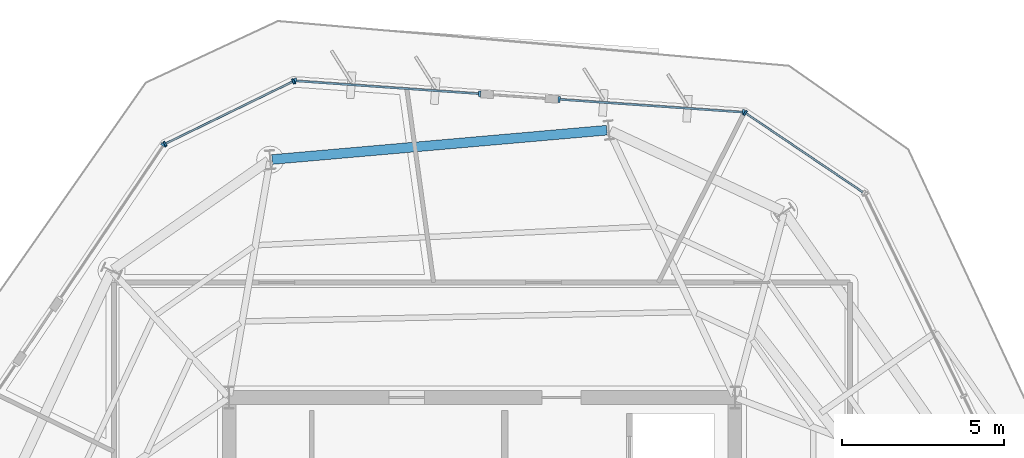
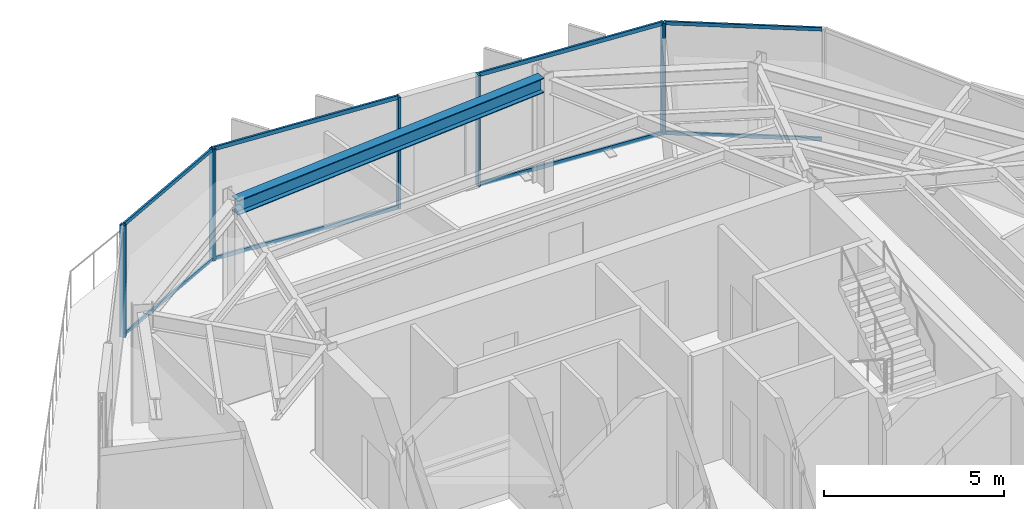
# One storey, part 6 of 12: 16 members, 1 beam, 5 elements without a shape of their own.
"""IFC4 building model written with IfcOpenShell, lengths in metres."""

from ifc_helpers import new_model, si_unit, direction, frame, origin, origin_2d, place, context, subcontext, project, spatial, rectangle, i_section, extrude, material, layer, layer_set, material_profile, profile_set, type_object, element, aggregate, save


model = new_model("IFC4")

# Units and contexts
model_context = context("Model", 3, precision=1e-05, world=origin(), true_north=direction((0.0, 1.0)))
body_context = subcontext(model_context, "Body", "Model", "MODEL_VIEW")
ifc_project = project(units=[si_unit("LENGTHUNIT", "METRE"), si_unit("AREAUNIT", "SQUARE_METRE"), si_unit("VOLUMEUNIT", "CUBIC_METRE"), si_unit("PLANEANGLEUNIT", "RADIAN"), si_unit("MASSUNIT", "GRAM", prefix="KILO")], contexts=[model_context])

# Site, building, storey
site_placement = place(None, origin())
site = spatial("IfcSite", under=ifc_project, at=site_placement, CompositionType="ELEMENT")
building_placement = place(site_placement, origin())
building = spatial("IfcBuilding", under=site, at=building_placement, Name="Kranzbogen Civic Tower", CompositionType="ELEMENT")
storey_placement = place(building_placement, frame((0.0, 0.0, 250.199951171875)))
storey = spatial("IfcBuildingStorey", under=building, at=storey_placement, Name="L60", CompositionType="ELEMENT", Elevation=250.199951171875)

# Curtain wall, members
ifc_material_1 = material(Name="Pale Anodised Aluminium", Category="aluminium")
ifc_layer_1 = layer(ifc_material_1, 0.219970703125, Name="Pale Anodised Aluminium")
ifc_layer_set_1 = layer_set([ifc_layer_1], Name="Pale Anodised Aluminium")
curtain_wall_type_1 = type_object("IfcCurtainWallType", Name="Chamfer Facet Stick Curtain Wall System CW-06", PredefinedType="USERDEFINED", material=ifc_layer_set_1)
curtain_wall_1_placement = place(storey_placement, origin())
curtain_wall_1 = element("IfcCurtainWall", 1, at=curtain_wall_1_placement, inside=storey, type_object=curtain_wall_type_1, Name="L60 curtain wall CW-L60-C1", ObjectType="STICK CURTAIN WALL", PredefinedType="USERDEFINED")
ifc_material_profile_1 = material_profile(ifc_material_1, rectangle(XDim=0.06005859375, YDim=0.159912109375, at=origin_2d()), Name="ALU-M 60x160")
ifc_profile_set_1 = profile_set([ifc_material_profile_1], Name="Pale Anodised Aluminium")
member_type_1 = type_object("IfcMemberType", Name="Curtain Wall Mullion ALU-M 60x160", PredefinedType="MULLION", material=ifc_profile_set_1)
member_1_placement = place(storey_placement, frame((19.18212890625, 41.953857421875, 0.0), z_axis=(0.0, 0.0, 1.0), x_axis=(-0.898729699392, -0.438503052931, 0.0)))
member_1 = element("IfcMember", 2, at=member_1_placement, type_object=member_type_1, Name="CW-06 mullion 1", PredefinedType="MULLION", context=body_context, shape_type="SweptSolid", body=[
    extrude(rectangle(XDim=0.06005859375, YDim=0.159912109375, at=origin_2d()), origin(), (0.0, 0.0, 1.0), 3.780029296875),
])
member_2_placement = place(storey_placement, frame((15.222900390625, 40.022216796875, 0.0), z_axis=(0.0, 0.0, 1.0), x_axis=(-0.898729699392, -0.438503052931, 0.0)))
member_2 = element("IfcMember", 3, at=member_2_placement, type_object=member_type_1, Name="CW-06 mullion 2", PredefinedType="MULLION", context=body_context, shape_type="SweptSolid", body=[
    extrude(rectangle(XDim=0.06005859375, YDim=0.159912109375, at=origin_2d()), origin(), (0.0, 0.0, 1.0), 3.780029296875),
])

# Curtain wall, member
curtain_wall_2_placement = place(storey_placement, origin())
curtain_wall_2 = element("IfcCurtainWall", 4, at=curtain_wall_2_placement, inside=storey, type_object=curtain_wall_type_1, Name="L60 curtain wall CW-L60-C6", ObjectType="STICK CURTAIN WALL", PredefinedType="USERDEFINED")
member_3_placement = place(storey_placement, frame((33.120849609375, 40.978271484375, 0.0), z_axis=(0.0, 0.0, 1.0), x_axis=(-0.829144558925, 0.559034256915, 0.0)))
member_3 = element("IfcMember", 5, at=member_3_placement, type_object=member_type_1, Name="CW-06 mullion 2", PredefinedType="MULLION", context=body_context, shape_type="SweptSolid", body=[
    extrude(rectangle(XDim=0.06005859375, YDim=0.159912109375, at=origin_2d()), origin(), (0.0, 0.0, 1.0), 3.780029296875),
])

# Curtain wall, members
ifc_layer_2 = layer(ifc_material_1, 0.219970703125, Name="Pale Anodised Aluminium")
ifc_layer_set_2 = layer_set([ifc_layer_2], Name="Pale Anodised Aluminium")
curtain_wall_type_2 = type_object("IfcCurtainWallType", Name="Zone 4 Stick Curtain Wall System CW-05", PredefinedType="USERDEFINED", material=ifc_layer_set_2)
curtain_wall_3_placement = place(storey_placement, origin())
curtain_wall_3 = element("IfcCurtainWall", 6, at=curtain_wall_3_placement, inside=storey, type_object=curtain_wall_type_2, Name="L60 curtain wall CW-L60-F1-S1", ObjectType="STICK CURTAIN WALL", PredefinedType="USERDEFINED")
ifc_material_profile_2 = material_profile(ifc_material_1, rectangle(XDim=0.06494140625, YDim=0.179931640625, at=origin_2d()), Name="ALU-M 65x180")
ifc_profile_set_2 = profile_set([ifc_material_profile_2], Name="Pale Anodised Aluminium")
member_type_2 = type_object("IfcMemberType", Name="Curtain Wall Mullion ALU-M 65x180", PredefinedType="MULLION", material=ifc_profile_set_2)
member_4_placement = place(storey_placement, frame((33.066162109375, 40.9970703125, 0.0), z_axis=(0.0, 0.0, 1.0), x_axis=(-0.997561626971, 0.069791119738, 0.0)))
member_4 = element("IfcMember", 7, at=member_4_placement, type_object=member_type_2, Name="CW-05 mullion 1", PredefinedType="MULLION", context=body_context, shape_type="SweptSolid", body=[
    extrude(rectangle(XDim=0.06494140625, YDim=0.179931640625, at=origin_2d()), origin(), (0.0, 0.0, 1.0), 3.780029296875),
])
member_5_placement = place(storey_placement, frame((27.3798828125, 41.39501953125, 0.0), z_axis=(0.0, 0.0, 1.0), x_axis=(-0.997561626971, 0.069791119738, 0.0)))
member_5 = element("IfcMember", 8, at=member_5_placement, type_object=member_type_2, Name="CW-05 mullion 2", PredefinedType="MULLION", context=body_context, shape_type="SweptSolid", body=[
    extrude(rectangle(XDim=0.06494140625, YDim=0.179931640625, at=origin_2d()), origin(), (0.0, 0.0, 1.0), 3.780029296875),
])

curtain_wall_4_placement = place(storey_placement, origin())
curtain_wall_4 = element("IfcCurtainWall", 9, at=curtain_wall_4_placement, inside=storey, type_object=curtain_wall_type_2, Name="L60 curtain wall CW-L60-F1-S2", ObjectType="STICK CURTAIN WALL", PredefinedType="USERDEFINED")
member_6_placement = place(storey_placement, frame((24.926025390625, 41.567138671875, 0.0), z_axis=(0.0, 0.0, 1.0), x_axis=(-0.99756247237, 0.06977903496, 0.0)))
member_6 = element("IfcMember", 10, at=member_6_placement, type_object=member_type_2, Name="CW-05 mullion 1", PredefinedType="MULLION", context=body_context, shape_type="SweptSolid", body=[
    extrude(rectangle(XDim=0.06494140625, YDim=0.179931640625, at=origin_2d()), origin(), (0.0, 0.0, 1.0), 3.780029296875),
])
member_7_placement = place(storey_placement, frame((19.239013671875, 41.96484375, 0.0), z_axis=(0.0, 0.0, 1.0), x_axis=(-0.99756247237, 0.06977903496, 0.0)))
member_7 = element("IfcMember", 11, at=member_7_placement, type_object=member_type_2, Name="CW-05 mullion 2", PredefinedType="MULLION", context=body_context, shape_type="SweptSolid", body=[
    extrude(rectangle(XDim=0.06494140625, YDim=0.179931640625, at=origin_2d()), origin(), (0.0, 0.0, 1.0), 3.780029296875),
])

# Curtain wall, member
curtain_wall_5_placement = place(storey_placement, origin())
curtain_wall_5 = element("IfcCurtainWall", 12, at=curtain_wall_5_placement, inside=storey, type_object=curtain_wall_type_2, Name="L60 curtain wall CW-L60-F2-S1", ObjectType="STICK CURTAIN WALL", PredefinedType="USERDEFINED")
member_8_placement = place(storey_placement, frame((15.17919921875, 39.984130859375, 0.0), z_axis=(0.0, 0.0, 1.0), x_axis=(-0.559219373817, -0.829019717466, 0.0)))
member_8 = element("IfcMember", 13, at=member_8_placement, type_object=member_type_2, Name="CW-05 mullion 1", PredefinedType="MULLION", context=body_context, shape_type="SweptSolid", body=[
    extrude(rectangle(XDim=0.06494140625, YDim=0.179931640625, at=origin_2d()), origin(), (0.0, 0.0, 1.0), 3.780029296875),
])
aggregate(curtain_wall_5, [member_8])

# Member
ifc_material_profile_3 = material_profile(ifc_material_1, rectangle(XDim=0.06005859375, YDim=0.1201171875, at=origin_2d()), Name="ALU-T 60x120")
ifc_profile_set_3 = profile_set([ifc_material_profile_3], Name="Pale Anodised Aluminium")
member_type_3 = type_object("IfcMemberType", Name="Curtain Wall Transom ALU-T 60x120", PredefinedType="USERDEFINED", material=ifc_profile_set_3)
member_9_placement = place(storey_placement, frame((19.155029296875, 41.940673828125, 0.030029296875), z_axis=(-0.898733881974, -0.438494480458, 0.0), x_axis=(0.438494480458, -0.898733881974, 0.0)))
member_9 = element("IfcMember", 14, at=member_9_placement, type_object=member_type_3, Name="CW-06 transom 1.1", ObjectType="TRANSOM", PredefinedType="USERDEFINED", context=body_context, shape_type="SweptSolid", body=[
    extrude(rectangle(XDim=0.06005859375, YDim=0.1201171875, at=origin_2d()), origin(), (0.0, 0.0, 1.0), 4.344970703125),
])

member_10_placement = place(storey_placement, frame((19.155029296875, 41.940673828125, 3.75), z_axis=(-0.898733881974, -0.438494480458, 0.0), x_axis=(0.438494480458, -0.898733881974, 0.0)))
member_10 = element("IfcMember", 15, at=member_10_placement, type_object=member_type_3, Name="CW-06 transom 1.2", ObjectType="TRANSOM", PredefinedType="USERDEFINED", context=body_context, shape_type="SweptSolid", body=[
    extrude(rectangle(XDim=0.06005859375, YDim=0.1201171875, at=origin_2d()), origin(), (0.0, 0.0, 1.0), 4.344970703125),
])

aggregate(curtain_wall_1, [member_1, member_2, member_9, member_10])

member_11_placement = place(storey_placement, frame((36.748291015625, 38.532470703125, 0.030029296875), z_axis=(-0.829142997051, 0.559036573438, 0.0), x_axis=(-0.559036573438, -0.829142997051, 0.0)))
member_11 = element("IfcMember", 16, at=member_11_placement, type_object=member_type_3, Name="CW-06 transom 1.1", ObjectType="TRANSOM", PredefinedType="USERDEFINED", context=body_context, shape_type="SweptSolid", body=[
    extrude(rectangle(XDim=0.06005859375, YDim=0.1201171875, at=origin_2d()), origin(), (0.0, 0.0, 1.0), 4.344970703125),
])

member_12_placement = place(storey_placement, frame((36.748291015625, 38.532470703125, 3.75), z_axis=(-0.829142997051, 0.559036573438, 0.0), x_axis=(-0.559036573438, -0.829142997051, 0.0)))
member_12 = element("IfcMember", 17, at=member_12_placement, type_object=member_type_3, Name="CW-06 transom 1.2", ObjectType="TRANSOM", PredefinedType="USERDEFINED", context=body_context, shape_type="SweptSolid", body=[
    extrude(rectangle(XDim=0.06005859375, YDim=0.1201171875, at=origin_2d()), origin(), (0.0, 0.0, 1.0), 4.344970703125),
])

aggregate(curtain_wall_2, [member_3, member_11, member_12])

ifc_material_profile_4 = material_profile(ifc_material_1, rectangle(XDim=0.06494140625, YDim=0.135009765625, at=origin_2d()), Name="ALU-T 65x135")
ifc_profile_set_4 = profile_set([ifc_material_profile_4], Name="Pale Anodised Aluminium")
member_type_4 = type_object("IfcMemberType", Name="Curtain Wall Transom ALU-T 65x135", PredefinedType="USERDEFINED", material=ifc_profile_set_4)
member_13_placement = place(storey_placement, frame((33.0361328125, 40.999267578125, 0.030029296875), z_axis=(-0.997562433571, 0.069779589625, 0.0), x_axis=(-0.069779589625, -0.997562433571, 0.0)))
member_13 = element("IfcMember", 18, at=member_13_placement, type_object=member_type_4, Name="CW-05 transom 1.1", ObjectType="TRANSOM", PredefinedType="USERDEFINED", context=body_context, shape_type="SweptSolid", body=[
    extrude(rectangle(XDim=0.06494140625, YDim=0.135009765625, at=origin_2d()), origin(), (0.0, 0.0, 1.0), 5.639892578125),
])

member_14_placement = place(storey_placement, frame((33.0361328125, 40.999267578125, 3.75), z_axis=(-0.997562433571, 0.069779589625, 0.0), x_axis=(-0.069779589625, -0.997562433571, 0.0)))
member_14 = element("IfcMember", 19, at=member_14_placement, type_object=member_type_4, Name="CW-05 transom 1.2", ObjectType="TRANSOM", PredefinedType="USERDEFINED", context=body_context, shape_type="SweptSolid", body=[
    extrude(rectangle(XDim=0.06494140625, YDim=0.135009765625, at=origin_2d()), origin(), (0.0, 0.0, 1.0), 5.639892578125),
])

aggregate(curtain_wall_3, [member_4, member_5, member_13, member_14])

member_15_placement = place(storey_placement, frame((24.896240234375, 41.569091796875, 0.030029296875), z_axis=(-0.997560474257, 0.069807594142, 0.0), x_axis=(-0.069807594142, -0.997560474257, 0.0)))
member_15 = element("IfcMember", 20, at=member_15_placement, type_object=member_type_4, Name="CW-05 transom 1.1", ObjectType="TRANSOM", PredefinedType="USERDEFINED", context=body_context, shape_type="SweptSolid", body=[
    extrude(rectangle(XDim=0.06494140625, YDim=0.135009765625, at=origin_2d()), origin(), (0.0, 0.0, 1.0), 5.64111328125),
])

member_16_placement = place(storey_placement, frame((24.896240234375, 41.569091796875, 3.75), z_axis=(-0.997560474257, 0.069807594142, 0.0), x_axis=(-0.069807594142, -0.997560474257, 0.0)))
member_16 = element("IfcMember", 21, at=member_16_placement, type_object=member_type_4, Name="CW-05 transom 1.2", ObjectType="TRANSOM", PredefinedType="USERDEFINED", context=body_context, shape_type="SweptSolid", body=[
    extrude(rectangle(XDim=0.06494140625, YDim=0.135009765625, at=origin_2d()), origin(), (0.0, 0.0, 1.0), 5.64111328125),
])

aggregate(curtain_wall_4, [member_6, member_7, member_15, member_16])

# Beam
ifc_material_2 = material(Name="Steel S355", Category="steel")
ifc_material_profile_5 = material_profile(ifc_material_2, i_section(OverallWidth=0.300048828125, OverallDepth=0.5, WebThickness=0.014404296875, FlangeThickness=0.028076171875, at=origin_2d()), Name="HEB 500")
ifc_profile_set_5 = profile_set([ifc_material_profile_5], Name="Steel S355")
beam_type = type_object("IfcBeamType", Name="Perimeter Tube Spandrel Beam HEB 500", PredefinedType="SPANDREL", material=ifc_profile_set_5)
beam_placement = place(storey_placement, frame((28.84912109375, 40.445068359375, 3.530029296875), z_axis=(-0.996186373839, -0.087250837114, 0.0), x_axis=(0.087250837114, -0.996186373839, 0.0)))
element("IfcBeam", 22, at=beam_placement, inside=storey, type_object=beam_type, Name="L60 perimeter spandrel beam 09", PredefinedType="SPANDREL", context=body_context, shape_type="SweptSolid", body=[
    extrude(i_section(OverallWidth=0.300048828125, OverallDepth=0.5, WebThickness=0.014404296875, FlangeThickness=0.028076171875, at=origin_2d()), origin(), (0.0, 0.0, 1.0), 10.361572265625),
])

save(model, "model.ifc")
